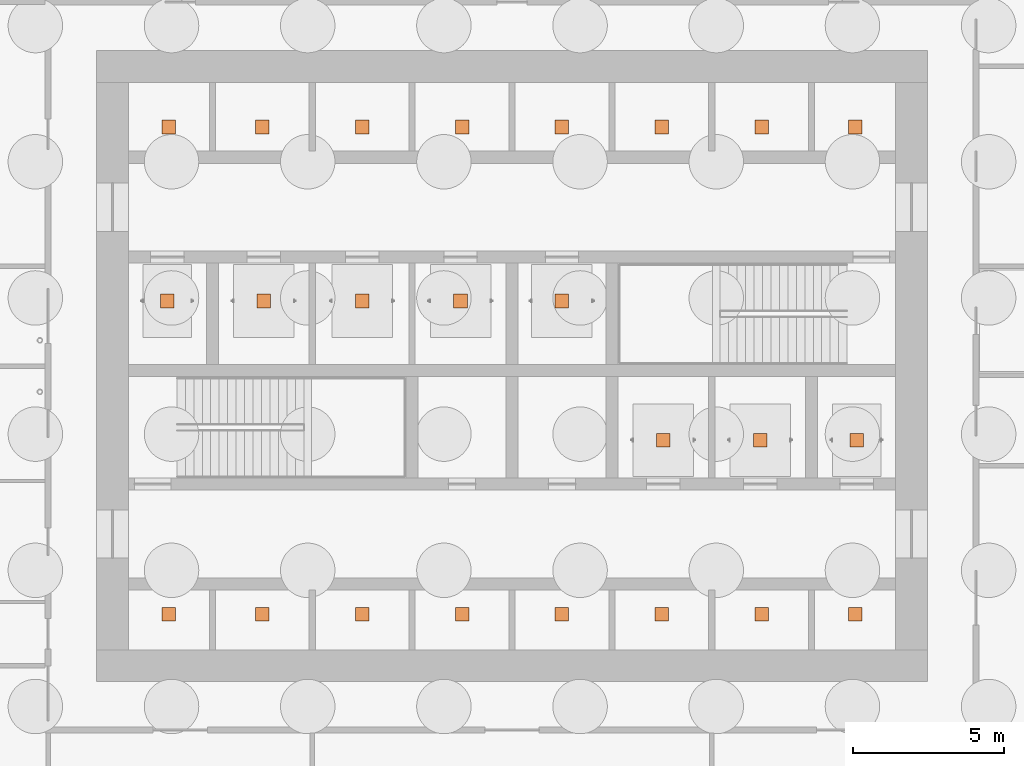
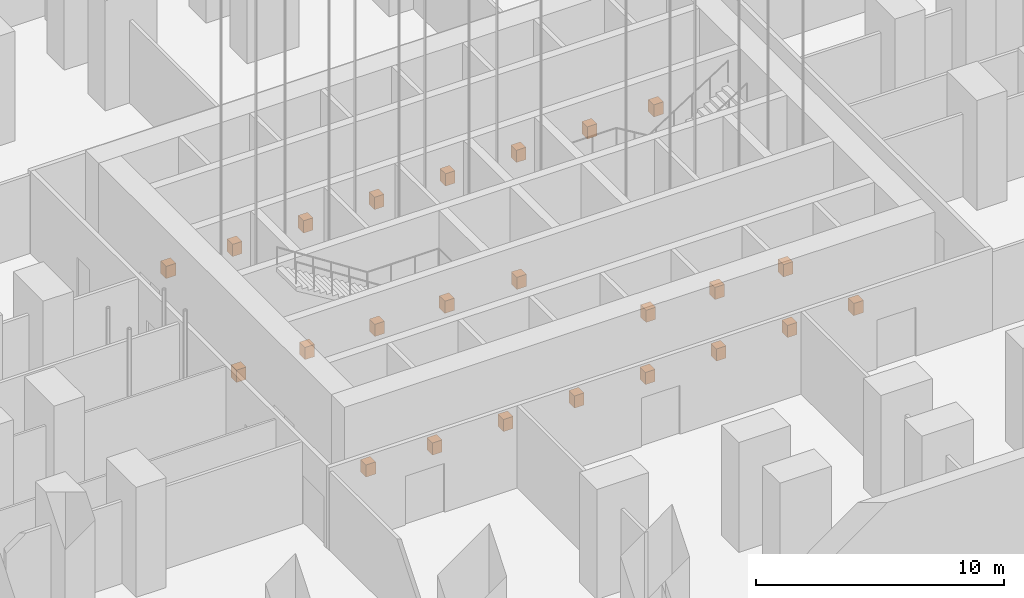
# One storey, part 17 of 17: 24 proxies.
"""IFC4 building model written with IfcOpenShell, lengths in metres."""

from ifc_helpers import new_model, si_unit, direction, frame, origin, origin_2d, place, context, subcontext, project, spatial, rectangle, extrude, material, type_object, element, save


model = new_model("IFC4")

# Units and contexts
model_context = context("Model", 3, precision=1e-05, world=origin(), true_north=direction((0.0, 1.0)))
body_context = subcontext(model_context, "Body", "Model", "MODEL_VIEW")
ifc_project = project(units=[si_unit("LENGTHUNIT", "METRE"), si_unit("AREAUNIT", "SQUARE_METRE"), si_unit("VOLUMEUNIT", "CUBIC_METRE"), si_unit("PLANEANGLEUNIT", "RADIAN"), si_unit("MASSUNIT", "GRAM", prefix="KILO")], contexts=[model_context])

# Site, building, storey
site_placement = place(None, origin())
site = spatial("IfcSite", under=ifc_project, at=site_placement, CompositionType="ELEMENT")
building_placement = place(site_placement, origin())
building = spatial("IfcBuilding", under=site, at=building_placement, Name="Cobogo Forest Laboratory Tower", CompositionType="ELEMENT")
storey_placement = place(building_placement, frame((0.0, 0.0, -5.39990234375)))
storey = spatial("IfcBuildingStorey", under=building, at=storey_placement, Name="L-01", CompositionType="ELEMENT", Elevation=-5.39990234375)

# Proxies
ifc_material = material(Name="Steel lift buffer", Category="steel")
building_element_proxy_type = type_object("IfcBuildingElementProxyType", Name="LB lift buffer", PredefinedType="USERDEFINED", material=ifc_material)
for number, where, z_axis, x_axis, name in (
    (1, (15.0625, 14.89990234375, -0.000244140625), (0.0, 0.0, 1.0), (1.0, 0.0, 0.0), "LA1 buffer"),
    (2, (18.14990234375, 14.89990234375, -0.000244140625), (0.0, 0.0, 1.0), (1.0, 0.0, 0.0), "LA2 buffer"),
    (3, (21.449951171875, 14.89990234375, -0.000244140625), (0.0, 0.0, 1.0), (1.0, 0.0, 0.0), "LA3 buffer"),
    (4, (24.75, 14.89990234375, -0.000244140625), (0.0, 0.0, 1.0), (1.0, 0.0, 0.0), "LA4 buffer"),
    (5, (28.050048828125, 14.89990234375, -0.000244140625), (0.0, 0.0, 1.0), (1.0, 0.0, 0.0), "LB1 buffer"),
    (6, (31.35009765625, 14.89990234375, -0.000244140625), (0.0, 0.0, 1.0), (1.0, 0.0, 0.0), "LB2 buffer"),
    (7, (34.64990234375, 14.89990234375, -0.000244140625), (0.0, 0.0, 1.0), (1.0, 0.0, 0.0), "LB3 buffer"),
    (8, (37.737548828125, 14.89990234375, -0.000244140625), (0.0, 0.0, 1.0), (1.0, 0.0, 0.0), "LB4 buffer"),
    (9, (15.0625, 31.0, -0.000244140625), (0.0, 0.0, 1.0), (1.0, 0.0, 0.0), "LC1 buffer"),
    (10, (18.14990234375, 31.0, -0.000244140625), (0.0, 0.0, 1.0), (1.0, 0.0, 0.0), "LC2 buffer"),
    (11, (21.449951171875, 31.0, -0.000244140625), (0.0, 0.0, 1.0), (1.0, 0.0, 0.0), "LC3 buffer"),
    (12, (24.75, 31.0, -0.000244140625), (0.0, 0.0, 1.0), (1.0, 0.0, 0.0), "LC4 buffer"),
    (13, (28.050048828125, 31.0, -0.000244140625), (0.0, 0.0, 1.0), (1.0, 0.0, 0.0), "LD1 buffer"),
    (14, (31.35009765625, 31.0, -0.000244140625), (0.0, 0.0, 1.0), (1.0, 0.0, 0.0), "LD2 buffer"),
    (15, (34.64990234375, 31.0, -0.000244140625), (0.0, 0.0, 1.0), (1.0, 0.0, 0.0), "LD3 buffer"),
    (16, (37.737548828125, 31.0, -0.000244140625), (0.0, 0.0, 1.0), (1.0, 0.0, 0.0), "LD4 buffer"),
    (17, (15.012451171875, 25.25, -1.60009765625), (0.0, 0.0, 1.0), (1.0, 0.0, 0.0), "FL1 buffer"),
    (18, (37.78759765625, 20.64990234375, -1.60009765625), (0.0, 0.0, 1.0), (1.0, 0.0, 0.0), "FL2 buffer"),
    (19, (31.39990234375, 20.64990234375, -1.60009765625), (0.0, 0.0, 1.0), (1.0, 0.0, 0.0), "LS1 buffer"),
    (20, (34.60009765625, 20.64990234375, -1.60009765625), (0.0, 0.0, 1.0), (1.0, 0.0, 0.0), "LS2 buffer"),
    (21, (18.199951171875, 25.25, -1.60009765625), (0.0, 0.0, 1.0), (1.0, 0.0, 0.0), "LS3 buffer"),
    (22, (21.449951171875, 25.25, -1.60009765625), (0.0, 0.0, 1.0), (1.0, 0.0, 0.0), "LS4 buffer"),
    (23, (24.699951171875, 25.25, -1.60009765625), (0.0, 0.0, 1.0), (1.0, 0.0, 0.0), "LS5 buffer"),
    (24, (28.050048828125, 25.25, -1.60009765625), (0.0, 0.0, 1.0), (1.0, 0.0, 0.0), "LS6 buffer"),
):
    element("IfcBuildingElementProxy", number, at=place(storey_placement, frame(where, z_axis=z_axis, x_axis=x_axis)), inside=storey, type_object=building_element_proxy_type, Name=name, ObjectType="LIFT BUFFER", PredefinedType="USERDEFINED", context=body_context, shape_type="SweptSolid", body=[
        extrude(rectangle(XDim=0.449951171875, YDim=0.449951171875, at=origin_2d()), origin(), (0.0, 0.0, 1.0), 0.60009765625),
    ])

save(model, "model.ifc")
